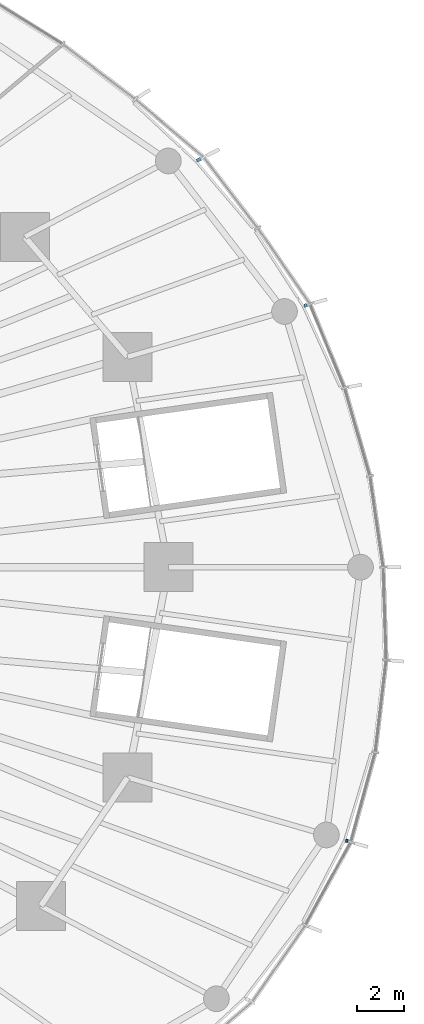
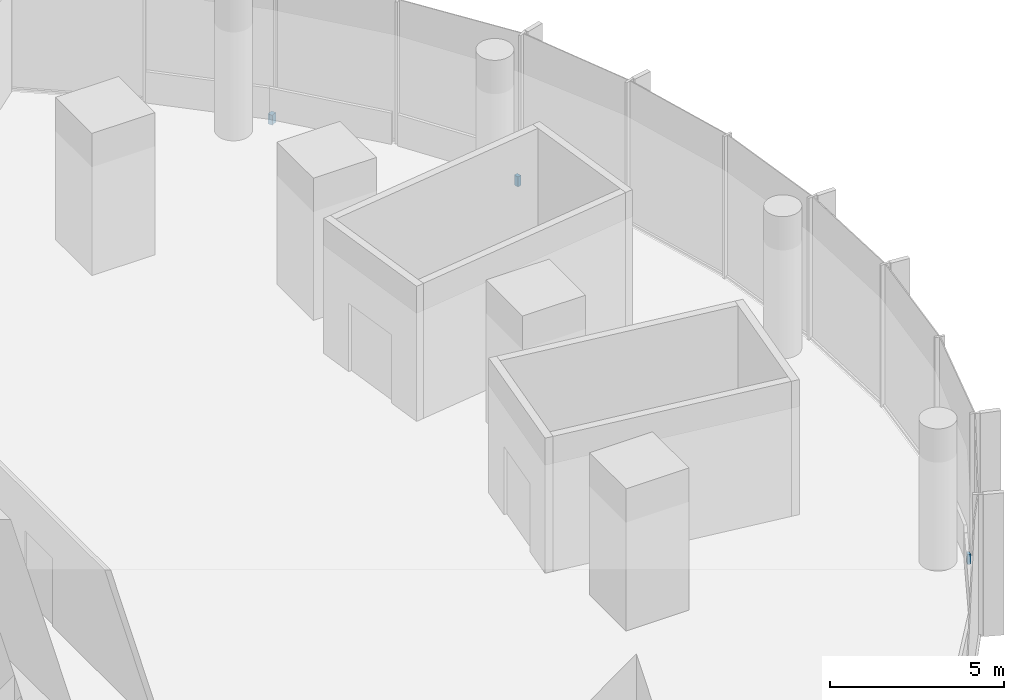
# One storey, part 21 of 27: 3 discrete accessories.
"""IFC4 building model written with IfcOpenShell, lengths in metres."""

import ifcopenshell
import ifcopenshell.guid

model = None  # the IFC model being written
_history = None  # IfcOwnerHistory: only IFC2X3 demands one
_inside = {}  # id of a spatial element -> (the spatial element, [elements in it])
_under = {}  # id of a project, library or spatial element -> (it, [spatial elements below it])
_declared = {}  # id of a project -> (the project, [libraries it declares])
_typed = {}  # id of a type object -> (the type object, [elements of that type])
_made_of = {}  # id of a material, layer set ... -> (it, [elements and type objects made of it])


def new_model(schema):
    """Start an empty IFC model of exactly this schema.

    Asked for "IFC4X3", IfcOpenShell would pick the latest addendum, in which some entities
    have other attributes; the version numbers below select the first issue.
    IFC2X3 requires an IfcOwnerHistory on every rooted entity: one is made here for all.
    """
    global model, _history
    if schema == "IFC4X3":
        model = ifcopenshell.file(schema_version=(4, 3, 0, 0))
    else:
        model = ifcopenshell.file(schema=schema)
    _inside.clear()
    _under.clear()
    _declared.clear()
    _typed.clear()
    _made_of.clear()
    _history = None
    if model.schema == "IFC2X3":
        org = make("IfcOrganization", Name="unknown")
        user = make(
            "IfcPersonAndOrganization",
            ThePerson=make("IfcPerson", FamilyName="unknown"),
            TheOrganization=org,
        )
        app = make(
            "IfcApplication",
            ApplicationDeveloper=org,
            Version="unknown",
            ApplicationFullName="unknown",
            ApplicationIdentifier="unknown",
        )
        _history = make(
            "IfcOwnerHistory",
            OwningUser=user,
            OwningApplication=app,
            ChangeAction="ADDED",
            CreationDate=0,
        )
    return model


def make(cls, **values):
    """One entity of the class cls with the attributes given. An attribute that is None is left unset."""
    return model.create_entity(
        cls, **{name: value for name, value in values.items() if value is not None}
    )


def rooted(cls, **values):
    """An entity with a GlobalId (a new one), such as an element, a storey or a relation."""
    return make(cls, GlobalId=ifcopenshell.guid.new(), OwnerHistory=_history, **values)


def si_unit(unit_type, name, prefix=None):
    """IfcSIUnit, for example si_unit("LENGTHUNIT", "METRE", prefix="MILLI")."""
    return make("IfcSIUnit", UnitType=unit_type, Prefix=prefix, Name=name)


def assignment(units):
    """IfcUnitAssignment: the units of a project."""
    return None if units is None else make("IfcUnitAssignment", Units=units)


def point(xyz):
    """IfcCartesianPoint."""
    return None if xyz is None else make("IfcCartesianPoint", Coordinates=xyz)


def direction(xyz):
    """IfcDirection."""
    return None if xyz is None else make("IfcDirection", DirectionRatios=xyz)


def frame(location, z_axis=None, x_axis=None):
    """IfcAxis2Placement3D, a coordinate frame: its origin and axes. An axis left out is left unset."""
    return make(
        "IfcAxis2Placement3D",
        Location=point(location),
        Axis=direction(z_axis),
        RefDirection=direction(x_axis),
    )


def frame_2d(location, x_axis=None):
    """IfcAxis2Placement2D, a coordinate frame in the plane: its origin and x axis."""
    return make(
        "IfcAxis2Placement2D", Location=point(location), RefDirection=direction(x_axis)
    )


def origin():
    """The frame at (0, 0, 0) with its axes left unset."""
    return frame((0.0, 0.0, 0.0))


def origin_2d():
    """The frame at (0, 0) in the plane with its x axis left unset."""
    return frame_2d((0.0, 0.0))


def place(relative_to, where):
    """IfcLocalPlacement: puts the frame where relative to a parent placement (None: the world)."""
    return make(
        "IfcLocalPlacement", PlacementRelTo=relative_to, RelativePlacement=where
    )


def context(
    kind, dimensions, precision=None, world=None, true_north=None, identifier=None
):
    """IfcGeometricRepresentationContext, for example the 3D "Model" context."""
    return make(
        "IfcGeometricRepresentationContext",
        ContextIdentifier=identifier,
        ContextType=kind,
        CoordinateSpaceDimension=dimensions,
        Precision=precision,
        WorldCoordinateSystem=world,
        TrueNorth=true_north,
    )


def subcontext(parent, identifier, kind, view, scale=None):
    """IfcGeometricRepresentationSubContext, for example "Body" below "Model"."""
    return make(
        "IfcGeometricRepresentationSubContext",
        ContextIdentifier=identifier,
        ContextType=kind,
        ParentContext=parent,
        TargetScale=scale,
        TargetView=view,
    )


def project(units=None, contexts=None):
    """IfcProject with its units and contexts."""
    return rooted(
        "IfcProject",
        Name="project",
        RepresentationContexts=contexts,
        UnitsInContext=assignment(units),
    )


def spatial(cls, under=None, at=None, **own):
    """A site, building, storey or space (cls), placed at a placement, below another one or the project."""
    s = rooted(cls, ObjectPlacement=at, **own)
    if under is not None:
        _under.setdefault(under.id(), (under, []))[1].append(s)
    return s


def profile(cls, at=None, kind="AREA", **sizes):
    """A parametric profile (cls). Its sizes go by their IFC names, for example OverallWidth=200.0."""
    return make(cls, ProfileType=kind, Position=at, **sizes)


def rectangle(**sizes):
    """IfcRectangleProfileDef."""
    return profile("IfcRectangleProfileDef", **sizes)


def extrude(swept, where, along, depth):
    """IfcExtrudedAreaSolid: the profile swept, set in the frame where, extruded along a direction by depth."""
    return make(
        "IfcExtrudedAreaSolid",
        SweptArea=swept,
        Position=where,
        ExtrudedDirection=direction(along),
        Depth=depth,
    )


def shape(context_of_items, identifier, shape_type, items):
    """IfcShapeRepresentation: the items that make up one representation, for example the "Body"."""
    return make(
        "IfcShapeRepresentation",
        ContextOfItems=context_of_items,
        RepresentationIdentifier=identifier,
        RepresentationType=shape_type,
        Items=items,
    )


def material(Name=None, Category=None):
    """IfcMaterial."""
    return make("IfcMaterial", Name=Name, Category=Category)


def made_of(thing, what):
    """Note that an element or type object is made of a material, layer set ...; save() writes the relation."""
    if what is not None:
        _made_of.setdefault(what.id(), (what, []))[1].append(thing)
    return thing


def type_object(cls, material=None, **own):
    """A type object (cls), such as IfcWallType, which elements share."""
    return made_of(rooted(cls, **own), material)


def element(
    cls,
    number,
    at=None,
    inside=None,
    cuts=None,
    type_object=None,
    material=None,
    context=None,
    identifier="Body",
    shape_type=None,
    held_by="IfcProductDefinitionShape",
    body=None,
    shapes=None,
    **own,
):
    """One element of the class cls, such as IfcWall. Its Tag is "e" and its number.

    at: its placement. inside: the storey or other place that contains it. cuts: it is an
    opening in that element (IfcRelVoidsElement). A single representation is given by context,
    identifier, shape_type and body (its items); several are given by shapes. held_by: the class
    of the entity that holds the representations. save() writes the other relations.
    """
    e = rooted(cls, Tag="e%d" % number, ObjectPlacement=at, **own)
    if body is not None:
        shapes = [shape(context, identifier, shape_type, body)]
    if shapes is not None:
        e.Representation = make(held_by, Representations=shapes)
    if inside is not None:
        _inside.setdefault(inside.id(), (inside, []))[1].append(e)
    if cuts is not None:
        rooted(
            "IfcRelVoidsElement", RelatingBuildingElement=cuts, RelatedOpeningElement=e
        )
    if type_object is not None:
        _typed.setdefault(type_object.id(), (type_object, []))[1].append(e)
    return made_of(e, material)


def aggregate(whole, parts):
    """IfcRelAggregates: a whole, such as a stair, and the parts it consists of."""
    return rooted("IfcRelAggregates", RelatingObject=whole, RelatedObjects=parts)


def save(model, path):
    """Write the relations noted so far, then the file.

    IfcRelAggregates (storeys below a building ...), IfcRelContainedInSpatialStructure (elements
    in a storey), IfcRelDefinesByType, IfcRelAssociatesMaterial and IfcRelDeclares: one each for
    every whole, place, type object, material and project.
    """
    for whole, parts in _under.values():
        aggregate(whole, parts)
    for where, things in _inside.values():
        rooted(
            "IfcRelContainedInSpatialStructure",
            RelatedElements=things,
            RelatingStructure=where,
        )
    for kind, things in _typed.values():
        rooted("IfcRelDefinesByType", RelatedObjects=things, RelatingType=kind)
    for what, things in _made_of.values():
        rooted("IfcRelAssociatesMaterial", RelatedObjects=things, RelatingMaterial=what)
    for by, libraries in _declared.values():
        rooted("IfcRelDeclares", RelatingContext=by, RelatedDefinitions=libraries)
    model.write(path)


model = new_model("IFC4")

# Units and contexts
model_context = context("Model", 3, precision=1e-05, world=origin(), true_north=direction((0.0, 1.0)))
body_context = subcontext(model_context, "Body", "Model", "MODEL_VIEW")
ifc_project = project(units=[si_unit("LENGTHUNIT", "METRE"), si_unit("AREAUNIT", "SQUARE_METRE"), si_unit("VOLUMEUNIT", "CUBIC_METRE"), si_unit("PLANEANGLEUNIT", "RADIAN"), si_unit("MASSUNIT", "GRAM", prefix="KILO")], contexts=[model_context])

# Site, building, storey
site_placement = place(None, origin())
site = spatial("IfcSite", under=ifc_project, at=site_placement, CompositionType="ELEMENT")
building_placement = place(site_placement, origin())
building = spatial("IfcBuilding", under=site, at=building_placement, Name="Ghaith Harvest Tower", CompositionType="ELEMENT")
storey_placement = place(building_placement, frame((0.0, 0.0, 10.0)))
storey = spatial("IfcBuildingStorey", under=building, at=storey_placement, Name="L02", CompositionType="ELEMENT", Elevation=10.0)

# Discrete accessories
ifc_material_1 = material(Name="Stainless steel grade 1.4401", Category="steel")
discrete_accessory_type_1 = type_object("IfcDiscreteAccessoryType", Name="CURTAIN WALL BRACKET 125", PredefinedType="BRACKET", material=ifc_material_1)
discrete_accessory_1_placement = place(storey_placement, frame((38.791748046875, 11.211669921875, -0.25), z_axis=(0.0, 0.0, 1.0), x_axis=(0.960680349985, 0.277656739792, 0.0)))
element("IfcDiscreteAccessory", 1, at=discrete_accessory_1_placement, inside=storey, type_object=discrete_accessory_type_1, Name="CW-P bracket 1 bay 02 L02", PredefinedType="BRACKET", context=body_context, shape_type="SweptSolid", body=[
    extrude(rectangle(XDim=0.125, YDim=0.14990234375, at=origin_2d()), origin(), (0.0, 0.0, 1.0), 0.35009765625),
])
ifc_material_2 = material(Name="Stainless steel grade 1.4401", Category="steel")
discrete_accessory_type_2 = type_object("IfcDiscreteAccessoryType", Name="CURTAIN WALL BRACKET 185", PredefinedType="BRACKET", material=ifc_material_2)
discrete_accessory_2_placement = place(storey_placement, frame((34.216552734375, 17.450927734375, -0.25), z_axis=(0.0, 0.0, 1.0), x_axis=(0.890830752257, 0.454335306611, 0.0)))
element("IfcDiscreteAccessory", 2, at=discrete_accessory_2_placement, inside=storey, type_object=discrete_accessory_type_2, Name="CW-P bracket 3 bay 02 L02", PredefinedType="BRACKET", context=body_context, shape_type="SweptSolid", body=[
    extrude(rectangle(XDim=0.18505859375, YDim=0.14990234375, at=origin_2d()), origin(), (0.0, 0.0, 1.0), 0.35009765625),
])
ifc_material_3 = material(Name="Stainless steel grade 1.4401", Category="steel")
discrete_accessory_type_3 = type_object("IfcDiscreteAccessoryType", Name="CURTAIN WALL BRACKET 95", PredefinedType="BRACKET", material=ifc_material_3)
discrete_accessory_3_placement = place(storey_placement, frame((40.55419921875, -11.720947265625, -0.25), z_axis=(0.0, 0.0, 1.0), x_axis=(0.960680349932, -0.277656739976, 0.0)))
element("IfcDiscreteAccessory", 3, at=discrete_accessory_3_placement, inside=storey, type_object=discrete_accessory_type_3, Name="CW-P bracket 1 bay 20 L02", PredefinedType="BRACKET", context=body_context, shape_type="SweptSolid", body=[
    extrude(rectangle(XDim=0.094970703125, YDim=0.14990234375, at=origin_2d()), origin(), (0.0, 0.0, 1.0), 0.35009765625),
])

save(model, "model.ifc")
